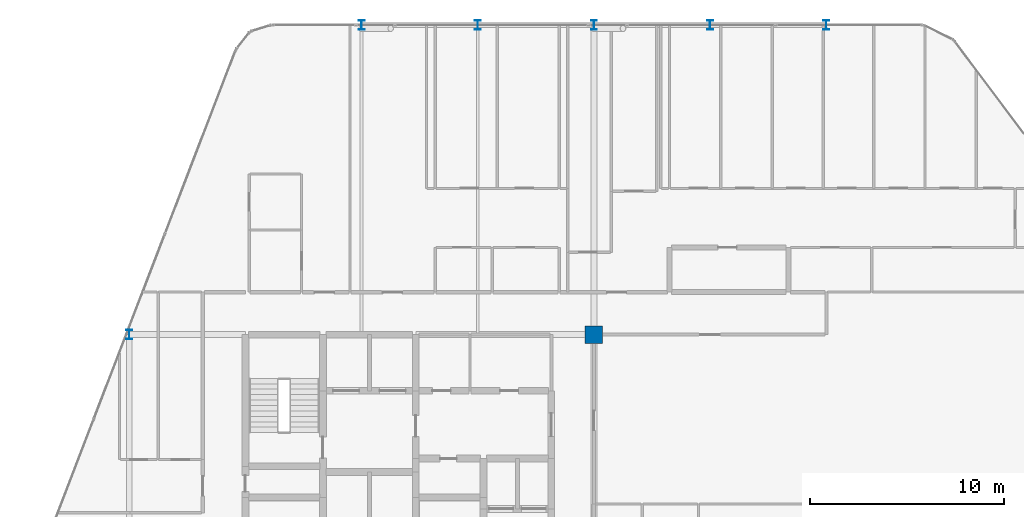
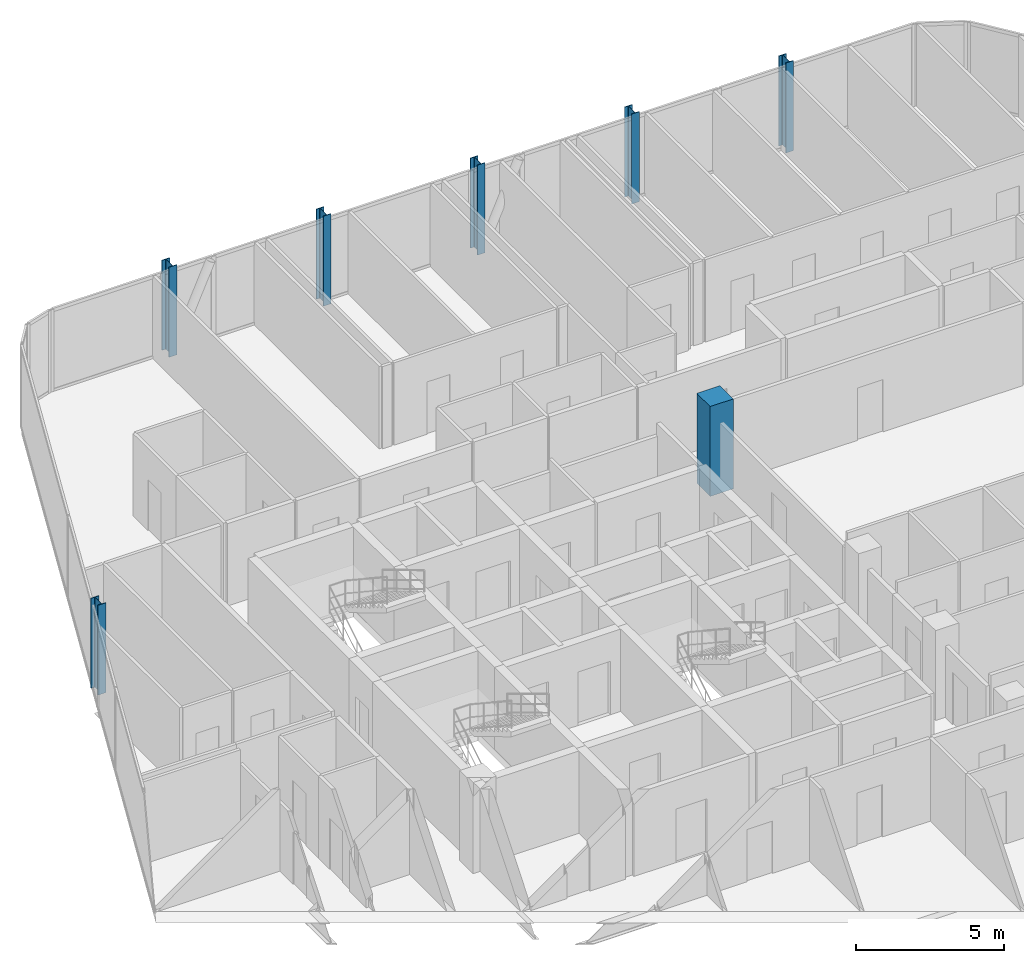
# One storey, part 3 of 32: 7 columns.
"""IFC4 building model written with IfcOpenShell, lengths in metres."""

from ifc_helpers import new_model, si_unit, direction, frame, origin, origin_2d, place, context, subcontext, project, spatial, rectangle, i_section, extrude, material, material_profile, profile_set, type_object, element, save


model = new_model("IFC4")

# Units and contexts
model_context = context("Model", 3, precision=1e-05, world=origin(), true_north=direction((0.0, 1.0)))
body_context = subcontext(model_context, "Body", "Model", "MODEL_VIEW")
ifc_project = project(units=[si_unit("LENGTHUNIT", "METRE"), si_unit("AREAUNIT", "SQUARE_METRE"), si_unit("VOLUMEUNIT", "CUBIC_METRE"), si_unit("PLANEANGLEUNIT", "RADIAN"), si_unit("MASSUNIT", "GRAM", prefix="KILO")], contexts=[model_context])

# Site, building, storey
site_placement = place(None, origin())
site = spatial("IfcSite", under=ifc_project, at=site_placement, CompositionType="ELEMENT")
building_placement = place(site_placement, origin())
building = spatial("IfcBuilding", under=site, at=building_placement, Name="Keshet Zoharim Tower", CompositionType="ELEMENT")
storey_placement = place(building_placement, frame((0.0, 0.0, 137.199951171875)))
storey = spatial("IfcBuildingStorey", under=building, at=storey_placement, Name="L33", CompositionType="ELEMENT", Elevation=137.199951171875)

# Columns
ifc_material_1 = material(Name="Steel S355", Category="steel")
ifc_material_profile_1 = material_profile(ifc_material_1, i_section(OverallWidth=0.300048828125, OverallDepth=0.5, WebThickness=0.014404296875, FlangeThickness=0.028076171875, FilletRadius=0.027099609375, at=origin_2d()), Name="HEB500")
ifc_profile_set_1 = profile_set([ifc_material_profile_1], Name="Steel S355")
column_type_1 = type_object("IfcColumnType", Name="COL-HEB500", PredefinedType="COLUMN", material=ifc_profile_set_1)
for number, where, z_axis, x_axis, name in (
    (1, (9.0, 37.89990234375, 0.0), (0.0, 0.0, 1.0), (1.0, 0.0, 0.0), "L33 Column 2H"),
    (2, (21.0, 53.89990234375, 0.0), (0.0, 0.0, 1.0), (1.0, 0.0, 0.0), "L33 Column 4L"),
    (3, (27.0, 53.89990234375, 0.0), (0.0, 0.0, 1.0), (1.0, 0.0, 0.0), "L33 Column 5L"),
    (4, (33.0, 53.89990234375, 0.0), (0.0, 0.0, 1.0), (1.0, 0.0, 0.0), "L33 Column 6L"),
    (5, (39.0, 53.89990234375, 0.0), (0.0, 0.0, 1.0), (1.0, 0.0, 0.0), "L33 Column 7L"),
    (6, (45.0, 53.89990234375, 0.0), (0.0, 0.0, 1.0), (1.0, 0.0, 0.0), "L33 Column 8L"),
):
    element("IfcColumn", number, at=place(storey_placement, frame(where, z_axis=z_axis, x_axis=x_axis)), inside=storey, type_object=column_type_1, Name=name, PredefinedType="COLUMN", context=body_context, shape_type="SweptSolid", body=[
        extrude(i_section(OverallWidth=0.300048828125, OverallDepth=0.5, WebThickness=0.014404296875, FlangeThickness=0.028076171875, FilletRadius=0.027099609375, at=origin_2d()), origin(), (0.0, 0.0, 1.0), 3.699951171875),
    ])
ifc_material_2 = material(Name="Concrete C60/75", Category="concrete")
ifc_material_profile_2 = material_profile(ifc_material_2, rectangle(XDim=0.89990234375, YDim=0.89990234375, at=origin_2d()), Name="RC900x900")
ifc_profile_set_2 = profile_set([ifc_material_profile_2], Name="Concrete C60/75")
column_type_2 = type_object("IfcColumnType", Name="COL-RC900", PredefinedType="COLUMN", material=ifc_profile_set_2)
column_placement = place(storey_placement, frame((33.0, 37.89990234375, 0.0), z_axis=(0.0, 0.0, 1.0), x_axis=(1.0, 0.0, 0.0)))
element("IfcColumn", 7, at=column_placement, inside=storey, type_object=column_type_2, Name="L33 Column 6H", PredefinedType="COLUMN", context=body_context, shape_type="SweptSolid", body=[
    extrude(rectangle(XDim=0.89990234375, YDim=0.89990234375, at=origin_2d()), origin(), (0.0, 0.0, 1.0), 3.699951171875),
])

save(model, "model.ifc")
